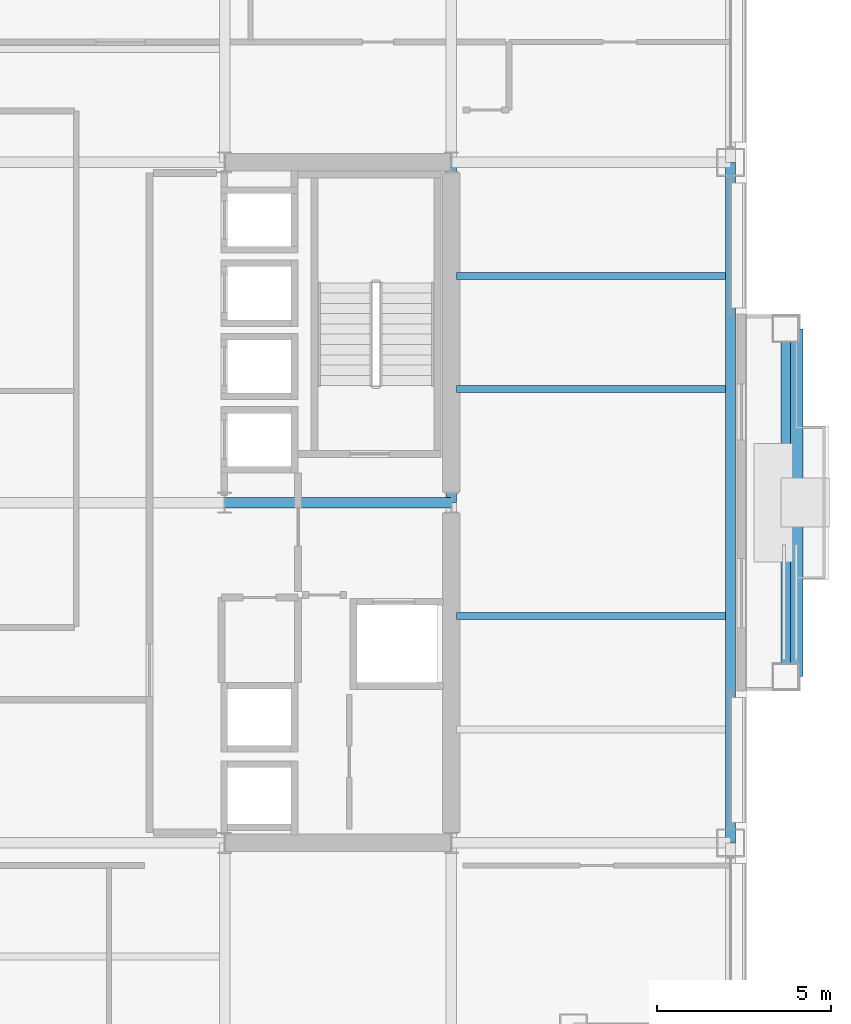
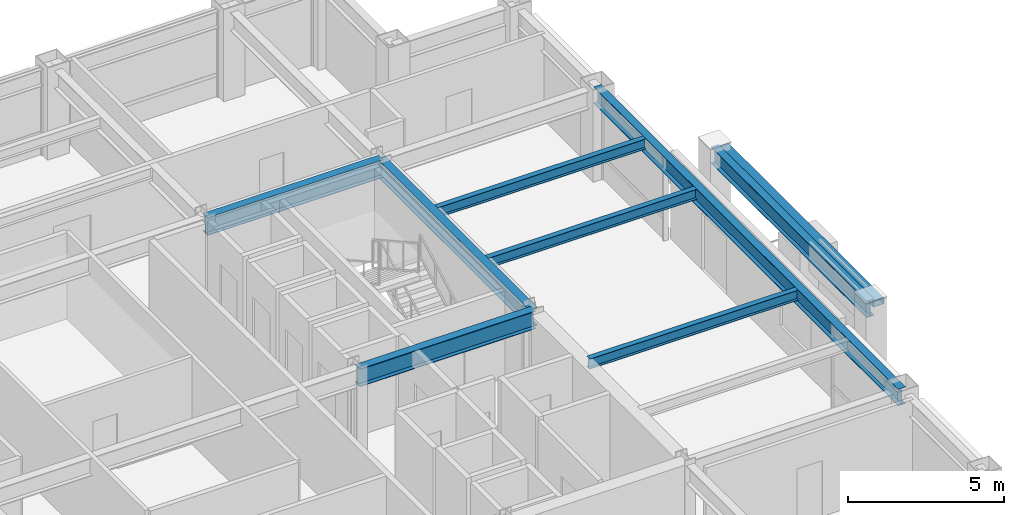
# One storey, part 15 of 29: 8 beams, 1 member.
"""IFC4 building model written with IfcOpenShell, lengths in metres."""

from ifc_helpers import new_model, si_unit, direction, frame, origin, origin_2d, place, context, subcontext, project, spatial, hollow_rectangle, i_section, extrude, material, material_profile, profile_set, type_object, element, save


model = new_model("IFC4")

# Units and contexts
model_context = context("Model", 3, precision=1e-05, world=origin(), true_north=direction((0.0, 1.0)))
body_context = subcontext(model_context, "Body", "Model", "MODEL_VIEW")
ifc_project = project(units=[si_unit("LENGTHUNIT", "METRE"), si_unit("AREAUNIT", "SQUARE_METRE"), si_unit("VOLUMEUNIT", "CUBIC_METRE"), si_unit("PLANEANGLEUNIT", "RADIAN"), si_unit("MASSUNIT", "GRAM", prefix="KILO")], contexts=[model_context])

# Site, building, storey
site_placement = place(None, origin())
site = spatial("IfcSite", under=ifc_project, at=site_placement, CompositionType="ELEMENT")
building_placement = place(site_placement, origin())
building = spatial("IfcBuilding", under=site, at=building_placement, Name="Brelmoor Portico Tower", CompositionType="ELEMENT")
storey_placement = place(building_placement, frame((0.0, 0.0, 138.60009765625)))
storey = spatial("IfcBuildingStorey", under=building, at=storey_placement, Name="L36", CompositionType="ELEMENT", Elevation=138.60009765625)

# Beams
ifc_material_1 = material(Name="Steel Q355B", Category="steel")
ifc_material_profile_1 = material_profile(ifc_material_1, i_section(OverallWidth=0.199951171875, OverallDepth=0.39990234375, WebThickness=0.008056640625, FlangeThickness=0.012939453125, at=origin_2d()), Name="HN 400x200x8x13")
ifc_profile_set_1 = profile_set([ifc_material_profile_1], Name="Steel Q355B")
beam_type_1 = type_object("IfcBeamType", Name="BM-JS-400", PredefinedType="JOIST", material=ifc_profile_set_1)
for number, where, z_axis, x_axis, name in (
    (1, (14.699951171875, -3.25, 3.199951171875), (1.0, 0.0, 0.0), (0.0, 1.0, 0.0), "L36 Secondary Wing Joist JS-E10"),
    (2, (14.699951171875, 3.25, 3.199951171875), (1.0, 0.0, 0.0), (0.0, 1.0, 0.0), "L36 Secondary Wing Joist JS-E11"),
    (3, (14.699951171875, 6.5, 3.199951171875), (1.0, 0.0, 0.0), (0.0, 1.0, 0.0), "L36 Secondary Wing Joist JS-E12"),
):
    element("IfcBeam", number, at=place(storey_placement, frame(where, z_axis=z_axis, x_axis=x_axis)), inside=storey, type_object=beam_type_1, Name=name, PredefinedType="JOIST", context=body_context, shape_type="SweptSolid", body=[
        extrude(i_section(OverallWidth=0.199951171875, OverallDepth=0.39990234375, WebThickness=0.008056640625, FlangeThickness=0.012939453125, at=origin_2d()), origin(), (0.0, 0.0, 1.0), 7.7099609375),
    ])
ifc_material_profile_2 = material_profile(ifc_material_1, i_section(OverallWidth=0.300048828125, OverallDepth=0.699951171875, WebThickness=0.012939453125, FlangeThickness=0.02392578125, at=origin_2d()), Name="HN 700x300x13x24")
ifc_profile_set_2 = profile_set([ifc_material_profile_2], Name="Steel Q355B")
beam_type_2 = type_object("IfcBeamType", Name="BM-PG-700", PredefinedType="BEAM", material=ifc_profile_set_2)
beam_1_placement = place(storey_placement, frame((14.550048828125, 0.0, 3.0498046875), z_axis=(0.0, 1.0, 0.0), x_axis=(-1.0, 0.0, 0.0)))
element("IfcBeam", 4, at=beam_1_placement, inside=storey, type_object=beam_type_2, Name="L36 Primary Floor Girder PG-12", PredefinedType="BEAM", context=body_context, shape_type="SweptSolid", body=[
    extrude(i_section(OverallWidth=0.300048828125, OverallDepth=0.699951171875, WebThickness=0.012939453125, FlangeThickness=0.02392578125, at=origin_2d()), origin(), (0.0, 0.0, 1.0), 9.75),
])
for number, where, z_axis, x_axis, name in (
    (5, (8.050048828125, 0.0, 3.0498046875), (1.0, 0.0, 0.0), (0.0, 1.0, 0.0), "L36 Primary Floor Girder PG-21"),
    (6, (8.050048828125, 9.75, 3.0498046875), (1.0, 0.0, 0.0), (0.0, 1.0, 0.0), "L36 Primary Floor Girder PG-25"),
):
    element("IfcBeam", number, at=place(storey_placement, frame(where, z_axis=z_axis, x_axis=x_axis)), inside=storey, type_object=beam_type_2, Name=name, PredefinedType="BEAM", context=body_context, shape_type="SweptSolid", body=[
        extrude(i_section(OverallWidth=0.300048828125, OverallDepth=0.699951171875, WebThickness=0.012939453125, FlangeThickness=0.02392578125, at=origin_2d()), origin(), (0.0, 0.0, 1.0), 6.5),
    ])
ifc_material_profile_3 = material_profile(ifc_material_1, i_section(OverallWidth=0.280029296875, OverallDepth=0.64990234375, WebThickness=0.012939453125, FlangeThickness=0.02197265625, at=origin_2d()), Name="HN 650x280x13x22")
ifc_profile_set_3 = profile_set([ifc_material_profile_3], Name="Steel Q355B")
beam_type_3 = type_object("IfcBeamType", Name="BM-SP-650", PredefinedType="SPANDREL", material=ifc_profile_set_3)
beam_2_placement = place(storey_placement, frame((22.550048828125, -9.75, 3.074951171875), z_axis=(0.0, 1.0, 0.0), x_axis=(-1.0, 0.0, 0.0)))
element("IfcBeam", 7, at=beam_2_placement, inside=storey, type_object=beam_type_3, Name="L36 Perimeter Spandrel Beam SP-23", PredefinedType="SPANDREL", context=body_context, shape_type="SweptSolid", body=[
    extrude(i_section(OverallWidth=0.280029296875, OverallDepth=0.64990234375, WebThickness=0.012939453125, FlangeThickness=0.02197265625, at=origin_2d()), origin(), (0.0, 0.0, 1.0), 19.5),
])
beam_3_placement = place(storey_placement, frame((24.1298828125, -4.97998046875, 3.074951171875), z_axis=(0.0, 1.0, 0.0), x_axis=(-1.0, 0.0, 0.0)))
element("IfcBeam", 8, at=beam_3_placement, inside=storey, type_object=beam_type_3, Name="L36 Picture-Frame Perimeter Lintel Beam E1", PredefinedType="SPANDREL", context=body_context, shape_type="SweptSolid", body=[
    extrude(i_section(OverallWidth=0.280029296875, OverallDepth=0.64990234375, WebThickness=0.012939453125, FlangeThickness=0.02197265625, at=origin_2d()), origin(), (0.0, 0.0, 1.0), 9.9599609375),
])

# Member
ifc_material_2 = material(Name="Pale Champagne Fluoropolymer-Coated Steel Q355B", Category="steel")
ifc_material_profile_4 = material_profile(ifc_material_2, hollow_rectangle(XDim=0.25, YDim=0.39990234375, WallThickness=0.013916015625, at=origin_2d()), Name="RHS 250x400x14")
ifc_profile_set_4 = profile_set([ifc_material_profile_4], Name="Pale Champagne Fluoropolymer-Coated Steel Q355B")
member_type = type_object("IfcMemberType", Name="MB-PF-HEADER", PredefinedType="MEMBER", material=ifc_profile_set_4)
member_placement = place(storey_placement, frame((24.429931640625, -4.97998046875, 3.199951171875), z_axis=(0.0, 1.0, 0.0), x_axis=(0.0, 0.0, 1.0)))
element("IfcMember", 9, at=member_placement, inside=storey, type_object=member_type, Name="L36 Picture-Frame Header E", PredefinedType="MEMBER", context=body_context, shape_type="SweptSolid", body=[
    extrude(hollow_rectangle(XDim=0.25, YDim=0.39990234375, WallThickness=0.013916015625, at=origin_2d()), origin(), (0.0, 0.0, 1.0), 9.9599609375),
])

save(model, "model.ifc")
